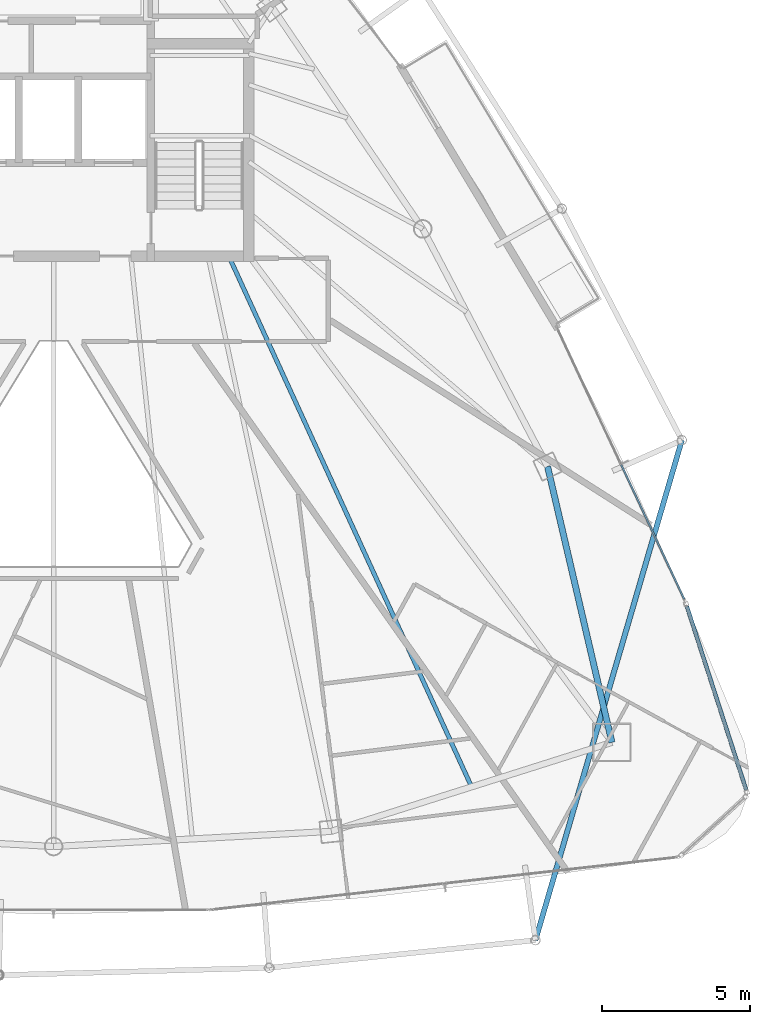
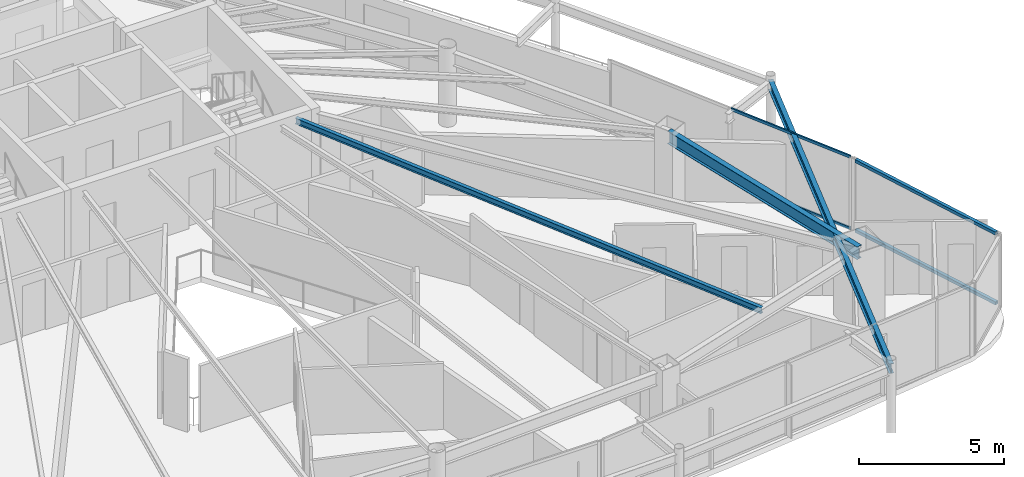
# One storey, part 17 of 33: 4 members, 3 beams, 2 elements without a shape of their own.
"""IFC4 building model written with IfcOpenShell, lengths in metres."""

from ifc_helpers import new_model, si_unit, direction, frame, origin, origin_2d, place, context, subcontext, project, spatial, hollow_rectangle, i_section, extrude, material, layer, layer_set, material_profile, profile_set, type_object, element, aggregate, save


model = new_model("IFC4")

# Units and contexts
model_context = context("Model", 3, precision=1e-05, world=origin(), true_north=direction((0.0, 1.0)))
body_context = subcontext(model_context, "Body", "Model", "MODEL_VIEW")
ifc_project = project(units=[si_unit("LENGTHUNIT", "METRE"), si_unit("AREAUNIT", "SQUARE_METRE"), si_unit("VOLUMEUNIT", "CUBIC_METRE"), si_unit("PLANEANGLEUNIT", "RADIAN"), si_unit("MASSUNIT", "GRAM", prefix="KILO")], contexts=[model_context])

# Site, building, storey
site_placement = place(None, origin())
site = spatial("IfcSite", under=ifc_project, at=site_placement, CompositionType="ELEMENT")
building_placement = place(site_placement, origin())
building = spatial("IfcBuilding", under=site, at=building_placement, Name="Orvanel Arch Residences", CompositionType="ELEMENT")
storey_placement = place(building_placement, frame((0.0, 0.0, 206.300048828125)))
storey = spatial("IfcBuildingStorey", under=building, at=storey_placement, Name="L58", CompositionType="ELEMENT", Elevation=206.300048828125)

# Beams
ifc_material_1 = material(Name="Structural steel AS/NZS 3679.1 Grade 300 (300 MPa)", Category="steel")
ifc_material_profile_1 = material_profile(ifc_material_1, i_section(OverallWidth=0.14599609375, OverallDepth=0.251953125, WebThickness=0.006103515625, FlangeThickness=0.008544921875, at=origin_2d()), Name="250UB31.4")
ifc_profile_set_1 = profile_set([ifc_material_profile_1], Name="Structural steel AS/NZS 3679.1 Grade 300 (300 MPa)")
beam_type_1 = type_object("IfcBeamType", Name="BJ-250UB", PredefinedType="JOIST", material=ifc_profile_set_1)
beam_1_placement = place(storey_placement, frame((38.89990234375, 26.72509765625, 2.933837890625), z_axis=(0.416009574066, -0.909360233508, 0.0), x_axis=(0.909360233508, 0.416009574066, 0.0)))
element("IfcBeam", 1, at=beam_1_placement, inside=storey, type_object=beam_type_1, Name="L58 JADD2 Wing Floor Joist", PredefinedType="JOIST", context=body_context, shape_type="SweptSolid", body=[
    extrude(i_section(OverallWidth=0.14599609375, OverallDepth=0.251953125, WebThickness=0.006103515625, FlangeThickness=0.008544921875, at=origin_2d()), origin(), (0.0, 0.0, 1.0), 19.653564453125),
])
ifc_material_profile_2 = material_profile(ifc_material_1, i_section(OverallWidth=0.177978515625, OverallDepth=0.406005859375, WebThickness=0.0078125, FlangeThickness=0.0126953125, at=origin_2d()), Name="410UB59.7")
ifc_profile_set_2 = profile_set([ifc_material_profile_2], Name="Structural steel AS/NZS 3679.1 Grade 300 (300 MPa)")
beam_type_2 = type_object("IfcBeamType", Name="OB-410UB-EXT", PredefinedType="SPANDREL", material=ifc_profile_set_2)
beam_2_placement = place(storey_placement, frame((49.22509765625, 3.68896484375, 2.85693359375), z_axis=(0.28109037373, 0.959681302202, 0.0), x_axis=(-0.959681302202, 0.28109037373, 0.0)))
element("IfcBeam", 2, at=beam_2_placement, inside=storey, type_object=beam_type_2, Name="L58 Outer Perimeter Floor Ring Beam 08", PredefinedType="SPANDREL", context=body_context, shape_type="SweptSolid", body=[
    extrude(i_section(OverallWidth=0.177978515625, OverallDepth=0.406005859375, WebThickness=0.0078125, FlangeThickness=0.0126953125, at=origin_2d()), origin(), (0.0, 0.0, 1.0), 17.545654296875),
])
ifc_material_profile_3 = material_profile(ifc_material_1, i_section(OverallWidth=0.208984375, OverallDepth=0.532958984375, WebThickness=0.01025390625, FlangeThickness=0.015625, at=origin_2d()), Name="530UB92.4")
ifc_profile_set_3 = profile_set([ifc_material_profile_3], Name="Structural steel AS/NZS 3679.1 Grade 300 (300 MPa)")
beam_type_3 = type_object("IfcBeamType", Name="SP-530UB", PredefinedType="SPANDREL", material=ifc_profile_set_3)
beam_3_placement = place(storey_placement, frame((51.801025390625, 10.35107421875, 2.7939453125), z_axis=(-0.227236087167, 0.973839699688, 0.0), x_axis=(-0.973839699688, -0.227236087167, 0.0)))
element("IfcBeam", 3, at=beam_3_placement, inside=storey, type_object=beam_type_3, Name="L58 Perimeter Spandrel Beam 06", PredefinedType="SPANDREL", context=body_context, shape_type="SweptSolid", body=[
    extrude(i_section(OverallWidth=0.208984375, OverallDepth=0.532958984375, WebThickness=0.01025390625, FlangeThickness=0.015625, at=origin_2d()), origin(), (0.0, 0.0, 1.0), 9.54052734375),
])

# Curtain wall, members
ifc_material_2 = material(Name="Bronze-anodised aluminium AA6063-T6", Category="aluminium")
ifc_layer_1 = layer(ifc_material_2, 0.175048828125)
ifc_layer_set_1 = layer_set([ifc_layer_1], Name="Bronze-anodised aluminium AA6063-T6")
curtain_wall_type_1 = type_object("IfcCurtainWallType", Name="CW4-HI-SYS", PredefinedType="NOTDEFINED", material=ifc_layer_set_1)
curtain_wall_1_placement = place(storey_placement, origin())
curtain_wall_1 = element("IfcCurtainWall", 4, at=curtain_wall_1_placement, inside=storey, type_object=curtain_wall_type_1, Name="L58 CW4-HI-SYS Unitised Curtain Wall", PredefinedType="NOTDEFINED")
ifc_material_profile_4 = material_profile(ifc_material_2, hollow_rectangle(XDim=0.06005859375, YDim=0.1201171875, WallThickness=0.00341796875, at=origin_2d()), Name="ALU120x60x3.5")
ifc_profile_set_4 = profile_set([ifc_material_profile_4], Name="Bronze-anodised aluminium AA6063-T6")
member_type_1 = type_object("IfcMemberType", Name="TRN-120x60", PredefinedType="USERDEFINED", material=ifc_profile_set_4)
member_1_placement = place(storey_placement, frame((54.236328125, 15.1728515625, 0.030029296875), z_axis=(-0.424342503337, 0.90550176138, 0.0), x_axis=(-0.90550176138, -0.424342503337, 0.0)))
member_1 = element("IfcMember", 5, at=member_1_placement, type_object=member_type_1, Name="CW-S4 transom 1.1", ObjectType="TRANSOM", PredefinedType="USERDEFINED", context=body_context, shape_type="SweptSolid", body=[
    extrude(hollow_rectangle(XDim=0.06005859375, YDim=0.1201171875, WallThickness=0.00341796875, at=origin_2d()), origin(), (0.0, 0.0, 1.0), 4.997314453125),
])
member_2_placement = place(storey_placement, frame((54.236328125, 15.1728515625, 3.030029296875), z_axis=(-0.424342503337, 0.90550176138, 0.0), x_axis=(-0.90550176138, -0.424342503337, 0.0)))
member_2 = element("IfcMember", 6, at=member_2_placement, type_object=member_type_1, Name="CW-S4 transom 1.2", ObjectType="TRANSOM", PredefinedType="USERDEFINED", context=body_context, shape_type="SweptSolid", body=[
    extrude(hollow_rectangle(XDim=0.06005859375, YDim=0.1201171875, WallThickness=0.00341796875, at=origin_2d()), origin(), (0.0, 0.0, 1.0), 4.997314453125),
])
aggregate(curtain_wall_1, [member_1, member_2])

ifc_layer_2 = layer(ifc_material_2, 0.18994140625)
ifc_layer_set_2 = layer_set([ifc_layer_2], Name="Bronze-anodised aluminium AA6063-T6")
curtain_wall_type_2 = type_object("IfcCurtainWallType", Name="CW5-CRN-SYS", PredefinedType="NOTDEFINED", material=ifc_layer_set_2)
curtain_wall_2_placement = place(storey_placement, origin())
curtain_wall_2 = element("IfcCurtainWall", 7, at=curtain_wall_2_placement, inside=storey, type_object=curtain_wall_type_2, Name="L58 CW5-CRN-SYS Unitised Curtain Wall", PredefinedType="NOTDEFINED")
ifc_material_profile_5 = material_profile(ifc_material_2, hollow_rectangle(XDim=0.1298828125, YDim=0.1298828125, WallThickness=0.00439453125, at=origin_2d()), Name="ALU130x130x4.5")
ifc_profile_set_5 = profile_set([ifc_material_profile_5], Name="Bronze-anodised aluminium AA6063-T6")
member_type_2 = type_object("IfcMemberType", Name="TRN-130x130", PredefinedType="USERDEFINED", material=ifc_profile_set_5)
member_3_placement = place(storey_placement, frame((56.323974609375, 8.745849609375, 0.06494140625), z_axis=(-0.307486437879, 0.951552463357, 0.0), x_axis=(-0.951552463357, -0.307486437879, 0.0)))
member_3 = element("IfcMember", 8, at=member_3_placement, type_object=member_type_2, Name="CW-S5 transom 1.1", ObjectType="TRANSOM", PredefinedType="USERDEFINED", context=body_context, shape_type="SweptSolid", body=[
    extrude(hollow_rectangle(XDim=0.1298828125, YDim=0.1298828125, WallThickness=0.00439453125, at=origin_2d()), origin(), (0.0, 0.0, 1.0), 6.503662109375),
])
member_4_placement = place(storey_placement, frame((56.323974609375, 8.745849609375, 2.994873046875), z_axis=(-0.307486437879, 0.951552463357, 0.0), x_axis=(-0.951552463357, -0.307486437879, 0.0)))
member_4 = element("IfcMember", 9, at=member_4_placement, type_object=member_type_2, Name="CW-S5 transom 1.2", ObjectType="TRANSOM", PredefinedType="USERDEFINED", context=body_context, shape_type="SweptSolid", body=[
    extrude(hollow_rectangle(XDim=0.1298828125, YDim=0.1298828125, WallThickness=0.00439453125, at=origin_2d()), origin(), (0.0, 0.0, 1.0), 6.503662109375),
])
aggregate(curtain_wall_2, [member_3, member_4])

save(model, "model.ifc")
